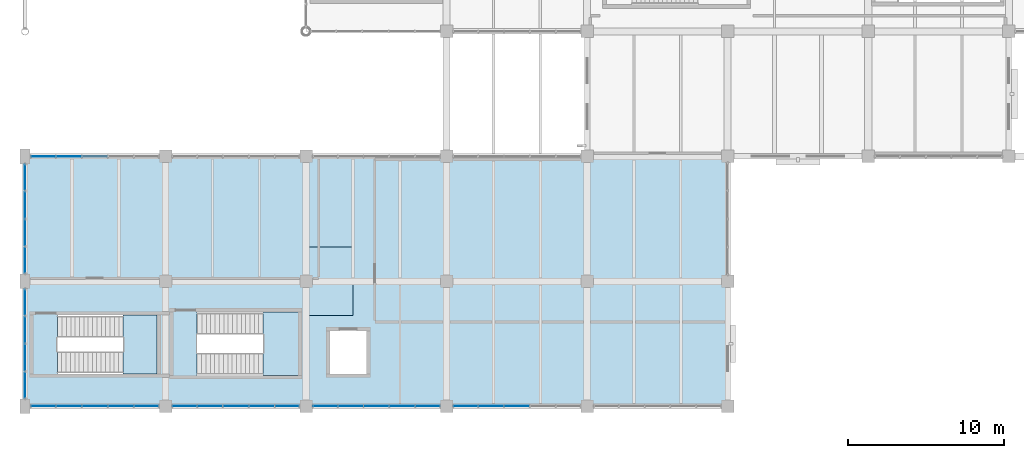
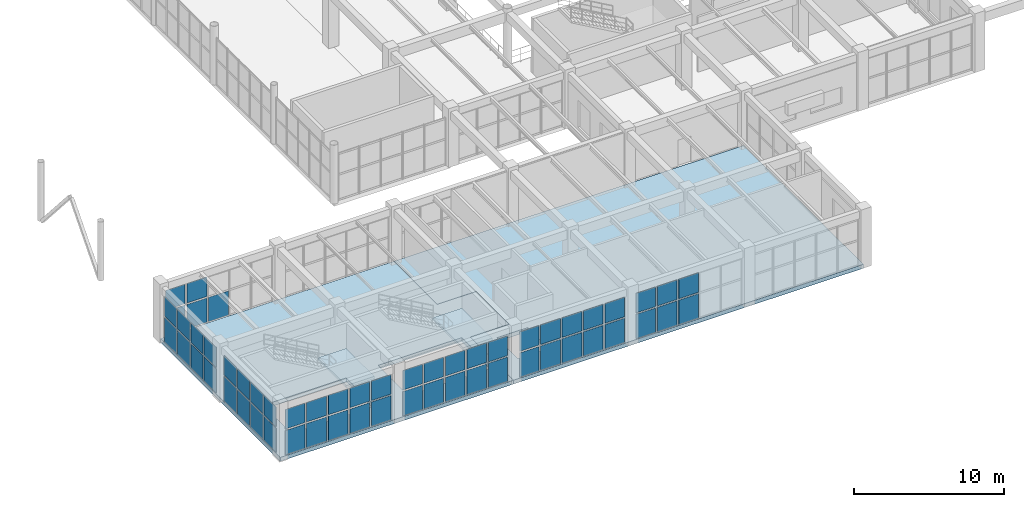
# One storey, part 138 of 178: 57 plates, 4 slabs, 9 elements without a shape of their own.
"""IFC4 building model written with IfcOpenShell, lengths in metres."""

from ifc_helpers import new_model, si_unit, derived_unit, direction, frame, origin, origin_2d, place, context, subcontext, project, spatial, polyline, rectangle, outline, extrude, material, layer, layer_set, type_object, element, aggregate, save


model = new_model("IFC4")

# Units and contexts
model_context = context("Model", 3, precision=1e-05, world=origin(), true_north=direction((0.0, 1.0)))
body_context = subcontext(model_context, "Body", "Model", "MODEL_VIEW")
ifc_project = project(units=[si_unit("LENGTHUNIT", "METRE"), si_unit("AREAUNIT", "SQUARE_METRE"), si_unit("VOLUMEUNIT", "CUBIC_METRE"), si_unit("PLANEANGLEUNIT", "RADIAN"), si_unit("MASSUNIT", "GRAM", prefix="KILO"), derived_unit("THERMALTRANSMITTANCEUNIT", [(si_unit("MASSUNIT", "GRAM", prefix="KILO"), 1), (si_unit("TIMEUNIT", "SECOND"), -3), (si_unit("THERMODYNAMICTEMPERATUREUNIT", "KELVIN"), -1)])], contexts=[model_context])

# Site, building, storey
site_placement = place(None, origin())
site = spatial("IfcSite", under=ifc_project, at=site_placement, CompositionType="ELEMENT")
building_placement = place(site_placement, origin())
building = spatial("IfcBuilding", under=site, at=building_placement, Name="Zhenchuan Archway Interchange", CompositionType="ELEMENT")
storey_placement = place(building_placement, frame((0.0, 0.0, 5.39990234375)))
storey = spatial("IfcBuildingStorey", under=building, at=storey_placement, Name="L01", CompositionType="ELEMENT", Elevation=5.39990234375)

# Curtain wall, plates
ifc_material_1 = material(Name="Anodised Aluminium", Category="aluminium")
curtain_wall_type_1 = type_object("IfcCurtainWallType", Name="CW_UNIT_4", PredefinedType="NOTDEFINED", material=ifc_material_1)
curtain_wall_1_placement = place(storey_placement, origin())
curtain_wall_1 = element("IfcCurtainWall", 1, at=curtain_wall_1_placement, inside=storey, type_object=curtain_wall_type_1, Name="Unitised curtain wall CW:L01:083", PredefinedType="NOTDEFINED")
ifc_material_2 = material(Name="Double Low-E Insulated Glazing", Category="glass")
ifc_layer_1 = layer(ifc_material_2, 0.028076171875)
ifc_layer_set_1 = layer_set([ifc_layer_1], Name="Double Low-E Insulated Glazing")
plate_type_1 = type_object("IfcPlateType", Name="CW_GLZ_1", PredefinedType="CURTAIN_PANEL", material=ifc_layer_set_1)
plate_1_placement = place(storey_placement, frame((31.5, 0.0, 0.080078125), z_axis=(0.0, 0.0, 1.0), x_axis=(-1.0, 0.0, 0.0)))
plate_1 = element("IfcPlate", 2, at=plate_1_placement, type_object=plate_type_1, Name="CW:L01:083 lower glazing panel 2", PredefinedType="CURTAIN_PANEL", context=body_context, shape_type="SweptSolid", body=[
    extrude(rectangle(XDim=1.5126953125, YDim=0.028076171875, at=origin_2d()), origin(), (0.0, 0.0, 1.0), 1.98291015625),
])
plate_2_placement = place(storey_placement, frame((29.84716796875, 0.0, 0.080078125), z_axis=(0.0, 0.0, 1.0), x_axis=(-1.0, 0.0, 0.0)))
plate_2 = element("IfcPlate", 3, at=plate_2_placement, type_object=plate_type_1, Name="CW:L01:083 lower glazing panel 3", PredefinedType="CURTAIN_PANEL", context=body_context, shape_type="SweptSolid", body=[
    extrude(rectangle(XDim=1.5126953125, YDim=0.028076171875, at=origin_2d()), origin(), (0.0, 0.0, 1.0), 1.98291015625),
])
plate_3_placement = place(storey_placement, frame((28.204345703125, 0.0, 0.080078125), z_axis=(0.0, 0.0, 1.0), x_axis=(-1.0, 0.0, 0.0)))
plate_3 = element("IfcPlate", 4, at=plate_3_placement, type_object=plate_type_1, Name="CW:L01:083 lower glazing panel 4", PredefinedType="CURTAIN_PANEL", context=body_context, shape_type="SweptSolid", body=[
    extrude(rectangle(XDim=1.492919921875, YDim=0.028076171875, at=origin_2d()), origin(), (0.0, 0.0, 1.0), 1.98291015625),
])

curtain_wall_type_2 = type_object("IfcCurtainWallType", Name="CW_UNIT_1", PredefinedType="NOTDEFINED", material=ifc_material_1)
curtain_wall_2_placement = place(storey_placement, origin())
curtain_wall_2 = element("IfcCurtainWall", 5, at=curtain_wall_2_placement, inside=storey, type_object=curtain_wall_type_2, Name="Unitised curtain wall CW:L01:084", PredefinedType="NOTDEFINED")
plate_4_placement = place(storey_placement, frame((25.795654296875, 0.0, 0.080078125), z_axis=(0.0, 0.0, 1.0), x_axis=(-1.0, 0.0, 0.0)))
plate_4 = element("IfcPlate", 6, at=plate_4_placement, type_object=plate_type_1, Name="CW:L01:084 lower glazing panel 0", PredefinedType="CURTAIN_PANEL", context=body_context, shape_type="SweptSolid", body=[
    extrude(rectangle(XDim=1.492919921875, YDim=0.028076171875, at=origin_2d()), origin(), (0.0, 0.0, 1.0), 1.98291015625),
])
plate_5_placement = place(storey_placement, frame((24.15283203125, 0.0, 0.080078125), z_axis=(0.0, 0.0, 1.0), x_axis=(-1.0, 0.0, 0.0)))
plate_5 = element("IfcPlate", 7, at=plate_5_placement, type_object=plate_type_1, Name="CW:L01:084 lower glazing panel 1", PredefinedType="CURTAIN_PANEL", context=body_context, shape_type="SweptSolid", body=[
    extrude(rectangle(XDim=1.5126953125, YDim=0.028076171875, at=origin_2d()), origin(), (0.0, 0.0, 1.0), 1.98291015625),
])
plate_6_placement = place(storey_placement, frame((22.5, 0.0, 0.080078125), z_axis=(0.0, 0.0, 1.0), x_axis=(-1.0, 0.0, 0.0)))
plate_6 = element("IfcPlate", 8, at=plate_6_placement, type_object=plate_type_1, Name="CW:L01:084 lower glazing panel 2", PredefinedType="CURTAIN_PANEL", context=body_context, shape_type="SweptSolid", body=[
    extrude(rectangle(XDim=1.5126953125, YDim=0.028076171875, at=origin_2d()), origin(), (0.0, 0.0, 1.0), 1.98291015625),
])
plate_7_placement = place(storey_placement, frame((20.84716796875, 0.0, 0.080078125), z_axis=(0.0, 0.0, 1.0), x_axis=(-1.0, 0.0, 0.0)))
plate_7 = element("IfcPlate", 9, at=plate_7_placement, type_object=plate_type_1, Name="CW:L01:084 lower glazing panel 3", PredefinedType="CURTAIN_PANEL", context=body_context, shape_type="SweptSolid", body=[
    extrude(rectangle(XDim=1.5126953125, YDim=0.028076171875, at=origin_2d()), origin(), (0.0, 0.0, 1.0), 1.98291015625),
])
plate_8_placement = place(storey_placement, frame((19.204345703125, 0.0, 0.080078125), z_axis=(0.0, 0.0, 1.0), x_axis=(-1.0, 0.0, 0.0)))
plate_8 = element("IfcPlate", 10, at=plate_8_placement, type_object=plate_type_1, Name="CW:L01:084 lower glazing panel 4", PredefinedType="CURTAIN_PANEL", context=body_context, shape_type="SweptSolid", body=[
    extrude(rectangle(XDim=1.492919921875, YDim=0.028076171875, at=origin_2d()), origin(), (0.0, 0.0, 1.0), 1.98291015625),
])

curtain_wall_type_3 = type_object("IfcCurtainWallType", Name="CW_UNIT_2", PredefinedType="NOTDEFINED", material=ifc_material_1)
curtain_wall_3_placement = place(storey_placement, origin())
curtain_wall_3 = element("IfcCurtainWall", 11, at=curtain_wall_3_placement, inside=storey, type_object=curtain_wall_type_3, Name="Unitised curtain wall CW:L01:085", PredefinedType="NOTDEFINED")
plate_9_placement = place(storey_placement, frame((16.795654296875, 0.0, 0.080078125), z_axis=(0.0, 0.0, 1.0), x_axis=(-1.0, 0.0, 0.0)))
plate_9 = element("IfcPlate", 12, at=plate_9_placement, type_object=plate_type_1, Name="CW:L01:085 lower glazing panel 0", PredefinedType="CURTAIN_PANEL", context=body_context, shape_type="SweptSolid", body=[
    extrude(rectangle(XDim=1.492919921875, YDim=0.028076171875, at=origin_2d()), origin(), (0.0, 0.0, 1.0), 1.98291015625),
])
plate_10_placement = place(storey_placement, frame((15.15283203125, 0.0, 0.080078125), z_axis=(0.0, 0.0, 1.0), x_axis=(-1.0, 0.0, 0.0)))
plate_10 = element("IfcPlate", 13, at=plate_10_placement, type_object=plate_type_1, Name="CW:L01:085 lower glazing panel 1", PredefinedType="CURTAIN_PANEL", context=body_context, shape_type="SweptSolid", body=[
    extrude(rectangle(XDim=1.5126953125, YDim=0.028076171875, at=origin_2d()), origin(), (0.0, 0.0, 1.0), 1.98291015625),
])
plate_11_placement = place(storey_placement, frame((13.5, 0.0, 0.080078125), z_axis=(0.0, 0.0, 1.0), x_axis=(-1.0, 0.0, 0.0)))
plate_11 = element("IfcPlate", 14, at=plate_11_placement, type_object=plate_type_1, Name="CW:L01:085 lower glazing panel 2", PredefinedType="CURTAIN_PANEL", context=body_context, shape_type="SweptSolid", body=[
    extrude(rectangle(XDim=1.5126953125, YDim=0.028076171875, at=origin_2d()), origin(), (0.0, 0.0, 1.0), 1.98291015625),
])
plate_12_placement = place(storey_placement, frame((11.84716796875, 0.0, 0.080078125), z_axis=(0.0, 0.0, 1.0), x_axis=(-1.0, 0.0, 0.0)))
plate_12 = element("IfcPlate", 15, at=plate_12_placement, type_object=plate_type_1, Name="CW:L01:085 lower glazing panel 3", PredefinedType="CURTAIN_PANEL", context=body_context, shape_type="SweptSolid", body=[
    extrude(rectangle(XDim=1.5126953125, YDim=0.028076171875, at=origin_2d()), origin(), (0.0, 0.0, 1.0), 1.98291015625),
])
plate_13_placement = place(storey_placement, frame((10.204345703125, 0.0, 0.080078125), z_axis=(0.0, 0.0, 1.0), x_axis=(-1.0, 0.0, 0.0)))
plate_13 = element("IfcPlate", 16, at=plate_13_placement, type_object=plate_type_1, Name="CW:L01:085 lower glazing panel 4", PredefinedType="CURTAIN_PANEL", context=body_context, shape_type="SweptSolid", body=[
    extrude(rectangle(XDim=1.492919921875, YDim=0.028076171875, at=origin_2d()), origin(), (0.0, 0.0, 1.0), 1.98291015625),
])

curtain_wall_type_4 = type_object("IfcCurtainWallType", Name="CW_UNIT_3", PredefinedType="NOTDEFINED", material=ifc_material_1)
curtain_wall_4_placement = place(storey_placement, origin())
curtain_wall_4 = element("IfcCurtainWall", 17, at=curtain_wall_4_placement, inside=storey, type_object=curtain_wall_type_4, Name="Unitised curtain wall CW:L01:086", PredefinedType="NOTDEFINED")
plate_14_placement = place(storey_placement, frame((7.7880859375, 0.0, 0.080078125), z_axis=(0.0, 0.0, 1.0), x_axis=(-1.0, 0.0, 0.0)))
plate_14 = element("IfcPlate", 18, at=plate_14_placement, type_object=plate_type_1, Name="CW:L01:086 lower glazing panel 0", PredefinedType="CURTAIN_PANEL", context=body_context, shape_type="SweptSolid", body=[
    extrude(rectangle(XDim=1.5078125, YDim=0.028076171875, at=origin_2d()), origin(), (0.0, 0.0, 1.0), 1.98291015625),
])
plate_15_placement = place(storey_placement, frame((6.13037109375, 0.0, 0.080078125), z_axis=(0.0, 0.0, 1.0), x_axis=(-1.0, 0.0, 0.0)))
plate_15 = element("IfcPlate", 19, at=plate_15_placement, type_object=plate_type_1, Name="CW:L01:086 lower glazing panel 1", PredefinedType="CURTAIN_PANEL", context=body_context, shape_type="SweptSolid", body=[
    extrude(rectangle(XDim=1.52783203125, YDim=0.028076171875, at=origin_2d()), origin(), (0.0, 0.0, 1.0), 1.98291015625),
])
plate_16_placement = place(storey_placement, frame((4.46240234375, 0.0, 0.080078125), z_axis=(0.0, 0.0, 1.0), x_axis=(-1.0, 0.0, 0.0)))
plate_16 = element("IfcPlate", 20, at=plate_16_placement, type_object=plate_type_1, Name="CW:L01:086 lower glazing panel 2", PredefinedType="CURTAIN_PANEL", context=body_context, shape_type="SweptSolid", body=[
    extrude(rectangle(XDim=1.52783203125, YDim=0.028076171875, at=origin_2d()), origin(), (0.0, 0.0, 1.0), 1.98291015625),
])
plate_17_placement = place(storey_placement, frame((2.794677734375, 0.0, 0.080078125), z_axis=(0.0, 0.0, 1.0), x_axis=(-1.0, 0.0, 0.0)))
plate_17 = element("IfcPlate", 21, at=plate_17_placement, type_object=plate_type_1, Name="CW:L01:086 lower glazing panel 3", PredefinedType="CURTAIN_PANEL", context=body_context, shape_type="SweptSolid", body=[
    extrude(rectangle(XDim=1.52783203125, YDim=0.028076171875, at=origin_2d()), origin(), (0.0, 0.0, 1.0), 1.98291015625),
])
plate_18_placement = place(storey_placement, frame((1.136962890625, 0.0, 0.080078125), z_axis=(0.0, 0.0, 1.0), x_axis=(-1.0, 0.0, 0.0)))
plate_18 = element("IfcPlate", 22, at=plate_18_placement, type_object=plate_type_1, Name="CW:L01:086 lower glazing panel 4", PredefinedType="CURTAIN_PANEL", context=body_context, shape_type="SweptSolid", body=[
    extrude(rectangle(XDim=1.5078125, YDim=0.028076171875, at=origin_2d()), origin(), (0.0, 0.0, 1.0), 1.98291015625),
])

curtain_wall_5_placement = place(storey_placement, origin())
curtain_wall_5 = element("IfcCurtainWall", 23, at=curtain_wall_5_placement, inside=storey, type_object=curtain_wall_type_3, Name="Unitised curtain wall CW:L01:089", PredefinedType="NOTDEFINED")
plate_19_placement = place(storey_placement, frame((1.136962890625, 16.0, 0.080078125), z_axis=(0.0, 0.0, 1.0), x_axis=(1.0, 0.0, 0.0)))
plate_19 = element("IfcPlate", 24, at=plate_19_placement, type_object=plate_type_1, Name="CW:L01:089 lower glazing panel 0", PredefinedType="CURTAIN_PANEL", context=body_context, shape_type="SweptSolid", body=[
    extrude(rectangle(XDim=1.5078125, YDim=0.028076171875, at=origin_2d()), origin(), (0.0, 0.0, 1.0), 1.98291015625),
])
plate_20_placement = place(storey_placement, frame((2.794677734375, 16.0, 0.080078125), z_axis=(0.0, 0.0, 1.0), x_axis=(1.0, 0.0, 0.0)))
plate_20 = element("IfcPlate", 25, at=plate_20_placement, type_object=plate_type_1, Name="CW:L01:089 lower glazing panel 1", PredefinedType="CURTAIN_PANEL", context=body_context, shape_type="SweptSolid", body=[
    extrude(rectangle(XDim=1.52783203125, YDim=0.028076171875, at=origin_2d()), origin(), (0.0, 0.0, 1.0), 1.98291015625),
])
plate_21_placement = place(storey_placement, frame((4.46240234375, 16.0, 0.080078125), z_axis=(0.0, 0.0, 1.0), x_axis=(1.0, 0.0, 0.0)))
plate_21 = element("IfcPlate", 26, at=plate_21_placement, type_object=plate_type_1, Name="CW:L01:089 lower glazing panel 2", PredefinedType="CURTAIN_PANEL", context=body_context, shape_type="SweptSolid", body=[
    extrude(rectangle(XDim=1.52783203125, YDim=0.028076171875, at=origin_2d()), origin(), (0.0, 0.0, 1.0), 1.98291015625),
])

# Plate
ifc_layer_2 = layer(ifc_material_2, 0.02587890625)
ifc_layer_set_2 = layer_set([ifc_layer_2], Name="Double Low-E Insulated Glazing")
plate_type_2 = type_object("IfcPlateType", Name="CW_GLZ_2", PredefinedType="CURTAIN_PANEL", material=ifc_layer_set_2)
plate_22_placement = place(storey_placement, frame((31.5, 0.0, 2.18310546875), z_axis=(0.0, 0.0, 1.0), x_axis=(-1.0, 0.0, 0.0)))
plate_22 = element("IfcPlate", 27, at=plate_22_placement, type_object=plate_type_2, Name="CW:L01:083 upper glazing panel 2", PredefinedType="CURTAIN_PANEL", context=body_context, shape_type="SweptSolid", body=[
    extrude(rectangle(XDim=1.5126953125, YDim=0.02587890625, at=origin_2d()), origin(), (0.0, 0.0, 1.0), 1.596923828125),
])

plate_23_placement = place(storey_placement, frame((29.84716796875, 0.0, 2.18310546875), z_axis=(0.0, 0.0, 1.0), x_axis=(-1.0, 0.0, 0.0)))
plate_23 = element("IfcPlate", 28, at=plate_23_placement, type_object=plate_type_2, Name="CW:L01:083 upper glazing panel 3", PredefinedType="CURTAIN_PANEL", context=body_context, shape_type="SweptSolid", body=[
    extrude(rectangle(XDim=1.5126953125, YDim=0.02587890625, at=origin_2d()), origin(), (0.0, 0.0, 1.0), 1.596923828125),
])

plate_24_placement = place(storey_placement, frame((28.204345703125, 0.0, 2.18310546875), z_axis=(0.0, 0.0, 1.0), x_axis=(-1.0, 0.0, 0.0)))
plate_24 = element("IfcPlate", 29, at=plate_24_placement, type_object=plate_type_2, Name="CW:L01:083 upper glazing panel 4", PredefinedType="CURTAIN_PANEL", context=body_context, shape_type="SweptSolid", body=[
    extrude(rectangle(XDim=1.492919921875, YDim=0.02587890625, at=origin_2d()), origin(), (0.0, 0.0, 1.0), 1.596923828125),
])

aggregate(curtain_wall_1, [plate_1, plate_22, plate_2, plate_23, plate_3, plate_24])

plate_25_placement = place(storey_placement, frame((25.795654296875, 0.0, 2.18310546875), z_axis=(0.0, 0.0, 1.0), x_axis=(-1.0, 0.0, 0.0)))
plate_25 = element("IfcPlate", 30, at=plate_25_placement, type_object=plate_type_2, Name="CW:L01:084 upper glazing panel 0", PredefinedType="CURTAIN_PANEL", context=body_context, shape_type="SweptSolid", body=[
    extrude(rectangle(XDim=1.492919921875, YDim=0.02587890625, at=origin_2d()), origin(), (0.0, 0.0, 1.0), 1.596923828125),
])

plate_26_placement = place(storey_placement, frame((24.15283203125, 0.0, 2.18310546875), z_axis=(0.0, 0.0, 1.0), x_axis=(-1.0, 0.0, 0.0)))
plate_26 = element("IfcPlate", 31, at=plate_26_placement, type_object=plate_type_2, Name="CW:L01:084 upper glazing panel 1", PredefinedType="CURTAIN_PANEL", context=body_context, shape_type="SweptSolid", body=[
    extrude(rectangle(XDim=1.5126953125, YDim=0.02587890625, at=origin_2d()), origin(), (0.0, 0.0, 1.0), 1.596923828125),
])

plate_27_placement = place(storey_placement, frame((22.5, 0.0, 2.18310546875), z_axis=(0.0, 0.0, 1.0), x_axis=(-1.0, 0.0, 0.0)))
plate_27 = element("IfcPlate", 32, at=plate_27_placement, type_object=plate_type_2, Name="CW:L01:084 upper glazing panel 2", PredefinedType="CURTAIN_PANEL", context=body_context, shape_type="SweptSolid", body=[
    extrude(rectangle(XDim=1.5126953125, YDim=0.02587890625, at=origin_2d()), origin(), (0.0, 0.0, 1.0), 1.596923828125),
])

plate_28_placement = place(storey_placement, frame((20.84716796875, 0.0, 2.18310546875), z_axis=(0.0, 0.0, 1.0), x_axis=(-1.0, 0.0, 0.0)))
plate_28 = element("IfcPlate", 33, at=plate_28_placement, type_object=plate_type_2, Name="CW:L01:084 upper glazing panel 3", PredefinedType="CURTAIN_PANEL", context=body_context, shape_type="SweptSolid", body=[
    extrude(rectangle(XDim=1.5126953125, YDim=0.02587890625, at=origin_2d()), origin(), (0.0, 0.0, 1.0), 1.596923828125),
])

plate_29_placement = place(storey_placement, frame((19.204345703125, 0.0, 2.18310546875), z_axis=(0.0, 0.0, 1.0), x_axis=(-1.0, 0.0, 0.0)))
plate_29 = element("IfcPlate", 34, at=plate_29_placement, type_object=plate_type_2, Name="CW:L01:084 upper glazing panel 4", PredefinedType="CURTAIN_PANEL", context=body_context, shape_type="SweptSolid", body=[
    extrude(rectangle(XDim=1.492919921875, YDim=0.02587890625, at=origin_2d()), origin(), (0.0, 0.0, 1.0), 1.596923828125),
])

aggregate(curtain_wall_2, [plate_4, plate_25, plate_5, plate_26, plate_6, plate_27, plate_7, plate_28, plate_8, plate_29])

plate_30_placement = place(storey_placement, frame((16.795654296875, 0.0, 2.18310546875), z_axis=(0.0, 0.0, 1.0), x_axis=(-1.0, 0.0, 0.0)))
plate_30 = element("IfcPlate", 35, at=plate_30_placement, type_object=plate_type_2, Name="CW:L01:085 upper glazing panel 0", PredefinedType="CURTAIN_PANEL", context=body_context, shape_type="SweptSolid", body=[
    extrude(rectangle(XDim=1.492919921875, YDim=0.02587890625, at=origin_2d()), origin(), (0.0, 0.0, 1.0), 1.596923828125),
])

plate_31_placement = place(storey_placement, frame((15.15283203125, 0.0, 2.18310546875), z_axis=(0.0, 0.0, 1.0), x_axis=(-1.0, 0.0, 0.0)))
plate_31 = element("IfcPlate", 36, at=plate_31_placement, type_object=plate_type_2, Name="CW:L01:085 upper glazing panel 1", PredefinedType="CURTAIN_PANEL", context=body_context, shape_type="SweptSolid", body=[
    extrude(rectangle(XDim=1.5126953125, YDim=0.02587890625, at=origin_2d()), origin(), (0.0, 0.0, 1.0), 1.596923828125),
])

plate_32_placement = place(storey_placement, frame((13.5, 0.0, 2.18310546875), z_axis=(0.0, 0.0, 1.0), x_axis=(-1.0, 0.0, 0.0)))
plate_32 = element("IfcPlate", 37, at=plate_32_placement, type_object=plate_type_2, Name="CW:L01:085 upper glazing panel 2", PredefinedType="CURTAIN_PANEL", context=body_context, shape_type="SweptSolid", body=[
    extrude(rectangle(XDim=1.5126953125, YDim=0.02587890625, at=origin_2d()), origin(), (0.0, 0.0, 1.0), 1.596923828125),
])

plate_33_placement = place(storey_placement, frame((11.84716796875, 0.0, 2.18310546875), z_axis=(0.0, 0.0, 1.0), x_axis=(-1.0, 0.0, 0.0)))
plate_33 = element("IfcPlate", 38, at=plate_33_placement, type_object=plate_type_2, Name="CW:L01:085 upper glazing panel 3", PredefinedType="CURTAIN_PANEL", context=body_context, shape_type="SweptSolid", body=[
    extrude(rectangle(XDim=1.5126953125, YDim=0.02587890625, at=origin_2d()), origin(), (0.0, 0.0, 1.0), 1.596923828125),
])

plate_34_placement = place(storey_placement, frame((10.204345703125, 0.0, 2.18310546875), z_axis=(0.0, 0.0, 1.0), x_axis=(-1.0, 0.0, 0.0)))
plate_34 = element("IfcPlate", 39, at=plate_34_placement, type_object=plate_type_2, Name="CW:L01:085 upper glazing panel 4", PredefinedType="CURTAIN_PANEL", context=body_context, shape_type="SweptSolid", body=[
    extrude(rectangle(XDim=1.492919921875, YDim=0.02587890625, at=origin_2d()), origin(), (0.0, 0.0, 1.0), 1.596923828125),
])

aggregate(curtain_wall_3, [plate_9, plate_30, plate_10, plate_31, plate_11, plate_32, plate_12, plate_33, plate_13, plate_34])

plate_35_placement = place(storey_placement, frame((7.7880859375, 0.0, 2.18310546875), z_axis=(0.0, 0.0, 1.0), x_axis=(-1.0, 0.0, 0.0)))
plate_35 = element("IfcPlate", 40, at=plate_35_placement, type_object=plate_type_2, Name="CW:L01:086 upper glazing panel 0", PredefinedType="CURTAIN_PANEL", context=body_context, shape_type="SweptSolid", body=[
    extrude(rectangle(XDim=1.5078125, YDim=0.02587890625, at=origin_2d()), origin(), (0.0, 0.0, 1.0), 1.596923828125),
])

plate_36_placement = place(storey_placement, frame((6.13037109375, 0.0, 2.18310546875), z_axis=(0.0, 0.0, 1.0), x_axis=(-1.0, 0.0, 0.0)))
plate_36 = element("IfcPlate", 41, at=plate_36_placement, type_object=plate_type_2, Name="CW:L01:086 upper glazing panel 1", PredefinedType="CURTAIN_PANEL", context=body_context, shape_type="SweptSolid", body=[
    extrude(rectangle(XDim=1.52783203125, YDim=0.02587890625, at=origin_2d()), origin(), (0.0, 0.0, 1.0), 1.596923828125),
])

plate_37_placement = place(storey_placement, frame((4.46240234375, 0.0, 2.18310546875), z_axis=(0.0, 0.0, 1.0), x_axis=(-1.0, 0.0, 0.0)))
plate_37 = element("IfcPlate", 42, at=plate_37_placement, type_object=plate_type_2, Name="CW:L01:086 upper glazing panel 2", PredefinedType="CURTAIN_PANEL", context=body_context, shape_type="SweptSolid", body=[
    extrude(rectangle(XDim=1.52783203125, YDim=0.02587890625, at=origin_2d()), origin(), (0.0, 0.0, 1.0), 1.596923828125),
])

plate_38_placement = place(storey_placement, frame((2.794677734375, 0.0, 2.18310546875), z_axis=(0.0, 0.0, 1.0), x_axis=(-1.0, 0.0, 0.0)))
plate_38 = element("IfcPlate", 43, at=plate_38_placement, type_object=plate_type_2, Name="CW:L01:086 upper glazing panel 3", PredefinedType="CURTAIN_PANEL", context=body_context, shape_type="SweptSolid", body=[
    extrude(rectangle(XDim=1.52783203125, YDim=0.02587890625, at=origin_2d()), origin(), (0.0, 0.0, 1.0), 1.596923828125),
])

plate_39_placement = place(storey_placement, frame((1.136962890625, 0.0, 2.18310546875), z_axis=(0.0, 0.0, 1.0), x_axis=(-1.0, 0.0, 0.0)))
plate_39 = element("IfcPlate", 44, at=plate_39_placement, type_object=plate_type_2, Name="CW:L01:086 upper glazing panel 4", PredefinedType="CURTAIN_PANEL", context=body_context, shape_type="SweptSolid", body=[
    extrude(rectangle(XDim=1.5078125, YDim=0.02587890625, at=origin_2d()), origin(), (0.0, 0.0, 1.0), 1.596923828125),
])

aggregate(curtain_wall_4, [plate_14, plate_35, plate_15, plate_36, plate_16, plate_37, plate_17, plate_38, plate_18, plate_39])

plate_40_placement = place(storey_placement, frame((1.136962890625, 16.0, 2.18310546875), z_axis=(0.0, 0.0, 1.0), x_axis=(1.0, 0.0, 0.0)))
plate_40 = element("IfcPlate", 45, at=plate_40_placement, type_object=plate_type_2, Name="CW:L01:089 upper glazing panel 0", PredefinedType="CURTAIN_PANEL", context=body_context, shape_type="SweptSolid", body=[
    extrude(rectangle(XDim=1.5078125, YDim=0.02587890625, at=origin_2d()), origin(), (0.0, 0.0, 1.0), 1.596923828125),
])

plate_41_placement = place(storey_placement, frame((2.794677734375, 16.0, 2.18310546875), z_axis=(0.0, 0.0, 1.0), x_axis=(1.0, 0.0, 0.0)))
plate_41 = element("IfcPlate", 46, at=plate_41_placement, type_object=plate_type_2, Name="CW:L01:089 upper glazing panel 1", PredefinedType="CURTAIN_PANEL", context=body_context, shape_type="SweptSolid", body=[
    extrude(rectangle(XDim=1.52783203125, YDim=0.02587890625, at=origin_2d()), origin(), (0.0, 0.0, 1.0), 1.596923828125),
])

aggregate(curtain_wall_5, [plate_19, plate_40, plate_20, plate_41, plate_21])

# Curtain wall, plates
curtain_wall_6_placement = place(storey_placement, origin())
curtain_wall_6 = element("IfcCurtainWall", 47, at=curtain_wall_6_placement, inside=storey, type_object=curtain_wall_type_1, Name="Unitised curtain wall CW:L01:087", PredefinedType="NOTDEFINED")
ifc_layer_3 = layer(ifc_material_2, 0.030029296875)
ifc_layer_set_3 = layer_set([ifc_layer_3], Name="Double Low-E Insulated Glazing")
plate_type_3 = type_object("IfcPlateType", Name="CW_GLZ_3", PredefinedType="CURTAIN_PANEL", material=ifc_layer_set_3)
plate_42_placement = place(storey_placement, frame((0.0, 1.34228515625, 0.080078125), z_axis=(0.0, 0.0, 1.0), x_axis=(0.0, 1.0, 0.0)))
plate_42 = element("IfcPlate", 48, at=plate_42_placement, type_object=plate_type_3, Name="CW:L01:087 lower glazing panel 0", PredefinedType="CURTAIN_PANEL", context=body_context, shape_type="SweptSolid", body=[
    extrude(rectangle(XDim=1.618408203125, YDim=0.028076171875, at=origin_2d()), origin(), (0.0, 0.0, 1.0), 1.98291015625),
])
plate_43_placement = place(storey_placement, frame((0.0, 3.11083984375, 0.080078125), z_axis=(0.0, 0.0, 1.0), x_axis=(0.0, 1.0, 0.0)))
plate_43 = element("IfcPlate", 49, at=plate_43_placement, type_object=plate_type_3, Name="CW:L01:087 lower glazing panel 1", PredefinedType="CURTAIN_PANEL", context=body_context, shape_type="SweptSolid", body=[
    extrude(rectangle(XDim=1.638427734375, YDim=0.028076171875, at=origin_2d()), origin(), (0.0, 0.0, 1.0), 1.98291015625),
])
plate_44_placement = place(storey_placement, frame((0.0, 4.889404296875, 0.080078125), z_axis=(0.0, 0.0, 1.0), x_axis=(0.0, 1.0, 0.0)))
plate_44 = element("IfcPlate", 50, at=plate_44_placement, type_object=plate_type_3, Name="CW:L01:087 lower glazing panel 2", PredefinedType="CURTAIN_PANEL", context=body_context, shape_type="SweptSolid", body=[
    extrude(rectangle(XDim=1.638427734375, YDim=0.028076171875, at=origin_2d()), origin(), (0.0, 0.0, 1.0), 1.98291015625),
])
plate_45_placement = place(storey_placement, frame((0.0, 6.65771484375, 0.080078125), z_axis=(0.0, 0.0, 1.0), x_axis=(0.0, 1.0, 0.0)))
plate_45 = element("IfcPlate", 51, at=plate_45_placement, type_object=plate_type_3, Name="CW:L01:087 lower glazing panel 3", PredefinedType="CURTAIN_PANEL", context=body_context, shape_type="SweptSolid", body=[
    extrude(rectangle(XDim=1.618408203125, YDim=0.028076171875, at=origin_2d()), origin(), (0.0, 0.0, 1.0), 1.98291015625),
])

curtain_wall_7_placement = place(storey_placement, origin())
curtain_wall_7 = element("IfcCurtainWall", 52, at=curtain_wall_7_placement, inside=storey, type_object=curtain_wall_type_2, Name="Unitised curtain wall CW:L01:088", PredefinedType="NOTDEFINED")
plate_46_placement = place(storey_placement, frame((0.0, 9.34228515625, 0.080078125), z_axis=(0.0, 0.0, 1.0), x_axis=(0.0, 1.0, 0.0)))
plate_46 = element("IfcPlate", 53, at=plate_46_placement, type_object=plate_type_3, Name="CW:L01:088 lower glazing panel 0", PredefinedType="CURTAIN_PANEL", context=body_context, shape_type="SweptSolid", body=[
    extrude(rectangle(XDim=1.618408203125, YDim=0.028076171875, at=origin_2d()), origin(), (0.0, 0.0, 1.0), 1.98291015625),
])
plate_47_placement = place(storey_placement, frame((0.0, 11.110595703125, 0.080078125), z_axis=(0.0, 0.0, 1.0), x_axis=(0.0, 1.0, 0.0)))
plate_47 = element("IfcPlate", 54, at=plate_47_placement, type_object=plate_type_3, Name="CW:L01:088 lower glazing panel 1", PredefinedType="CURTAIN_PANEL", context=body_context, shape_type="SweptSolid", body=[
    extrude(rectangle(XDim=1.638427734375, YDim=0.028076171875, at=origin_2d()), origin(), (0.0, 0.0, 1.0), 1.98291015625),
])
plate_48_placement = place(storey_placement, frame((0.0, 12.889404296875, 0.080078125), z_axis=(0.0, 0.0, 1.0), x_axis=(0.0, 1.0, 0.0)))
plate_48 = element("IfcPlate", 55, at=plate_48_placement, type_object=plate_type_3, Name="CW:L01:088 lower glazing panel 2", PredefinedType="CURTAIN_PANEL", context=body_context, shape_type="SweptSolid", body=[
    extrude(rectangle(XDim=1.638427734375, YDim=0.028076171875, at=origin_2d()), origin(), (0.0, 0.0, 1.0), 1.98291015625),
])
plate_49_placement = place(storey_placement, frame((0.0, 14.65771484375, 0.080078125), z_axis=(0.0, 0.0, 1.0), x_axis=(0.0, 1.0, 0.0)))
plate_49 = element("IfcPlate", 56, at=plate_49_placement, type_object=plate_type_3, Name="CW:L01:088 lower glazing panel 3", PredefinedType="CURTAIN_PANEL", context=body_context, shape_type="SweptSolid", body=[
    extrude(rectangle(XDim=1.618408203125, YDim=0.028076171875, at=origin_2d()), origin(), (0.0, 0.0, 1.0), 1.98291015625),
])

# Plate
ifc_layer_4 = layer(ifc_material_2, 0.02392578125)
ifc_layer_set_4 = layer_set([ifc_layer_4], Name="Double Low-E Insulated Glazing")
plate_type_4 = type_object("IfcPlateType", Name="CW_GLZ_4", PredefinedType="CURTAIN_PANEL", material=ifc_layer_set_4)
plate_50_placement = place(storey_placement, frame((0.0, 1.34228515625, 2.18310546875), z_axis=(0.0, 0.0, 1.0), x_axis=(0.0, 1.0, 0.0)))
plate_50 = element("IfcPlate", 57, at=plate_50_placement, type_object=plate_type_4, Name="CW:L01:087 upper glazing panel 0", PredefinedType="CURTAIN_PANEL", context=body_context, shape_type="SweptSolid", body=[
    extrude(rectangle(XDim=1.618408203125, YDim=0.02587890625, at=origin_2d()), origin(), (0.0, 0.0, 1.0), 1.596923828125),
])

plate_51_placement = place(storey_placement, frame((0.0, 3.11083984375, 2.18310546875), z_axis=(0.0, 0.0, 1.0), x_axis=(0.0, 1.0, 0.0)))
plate_51 = element("IfcPlate", 58, at=plate_51_placement, type_object=plate_type_4, Name="CW:L01:087 upper glazing panel 1", PredefinedType="CURTAIN_PANEL", context=body_context, shape_type="SweptSolid", body=[
    extrude(rectangle(XDim=1.638427734375, YDim=0.02587890625, at=origin_2d()), origin(), (0.0, 0.0, 1.0), 1.596923828125),
])

plate_52_placement = place(storey_placement, frame((0.0, 4.889404296875, 2.18310546875), z_axis=(0.0, 0.0, 1.0), x_axis=(0.0, 1.0, 0.0)))
plate_52 = element("IfcPlate", 59, at=plate_52_placement, type_object=plate_type_4, Name="CW:L01:087 upper glazing panel 2", PredefinedType="CURTAIN_PANEL", context=body_context, shape_type="SweptSolid", body=[
    extrude(rectangle(XDim=1.638427734375, YDim=0.02587890625, at=origin_2d()), origin(), (0.0, 0.0, 1.0), 1.596923828125),
])

plate_53_placement = place(storey_placement, frame((0.0, 6.65771484375, 2.18310546875), z_axis=(0.0, 0.0, 1.0), x_axis=(0.0, 1.0, 0.0)))
plate_53 = element("IfcPlate", 60, at=plate_53_placement, type_object=plate_type_4, Name="CW:L01:087 upper glazing panel 3", PredefinedType="CURTAIN_PANEL", context=body_context, shape_type="SweptSolid", body=[
    extrude(rectangle(XDim=1.618408203125, YDim=0.02587890625, at=origin_2d()), origin(), (0.0, 0.0, 1.0), 1.596923828125),
])

aggregate(curtain_wall_6, [plate_42, plate_50, plate_43, plate_51, plate_44, plate_52, plate_45, plate_53])

plate_54_placement = place(storey_placement, frame((0.0, 9.34228515625, 2.18310546875), z_axis=(0.0, 0.0, 1.0), x_axis=(0.0, 1.0, 0.0)))
plate_54 = element("IfcPlate", 61, at=plate_54_placement, type_object=plate_type_4, Name="CW:L01:088 upper glazing panel 0", PredefinedType="CURTAIN_PANEL", context=body_context, shape_type="SweptSolid", body=[
    extrude(rectangle(XDim=1.618408203125, YDim=0.02587890625, at=origin_2d()), origin(), (0.0, 0.0, 1.0), 1.596923828125),
])

plate_55_placement = place(storey_placement, frame((0.0, 11.110595703125, 2.18310546875), z_axis=(0.0, 0.0, 1.0), x_axis=(0.0, 1.0, 0.0)))
plate_55 = element("IfcPlate", 62, at=plate_55_placement, type_object=plate_type_4, Name="CW:L01:088 upper glazing panel 1", PredefinedType="CURTAIN_PANEL", context=body_context, shape_type="SweptSolid", body=[
    extrude(rectangle(XDim=1.638427734375, YDim=0.02587890625, at=origin_2d()), origin(), (0.0, 0.0, 1.0), 1.596923828125),
])

plate_56_placement = place(storey_placement, frame((0.0, 12.889404296875, 2.18310546875), z_axis=(0.0, 0.0, 1.0), x_axis=(0.0, 1.0, 0.0)))
plate_56 = element("IfcPlate", 63, at=plate_56_placement, type_object=plate_type_4, Name="CW:L01:088 upper glazing panel 2", PredefinedType="CURTAIN_PANEL", context=body_context, shape_type="SweptSolid", body=[
    extrude(rectangle(XDim=1.638427734375, YDim=0.02587890625, at=origin_2d()), origin(), (0.0, 0.0, 1.0), 1.596923828125),
])

plate_57_placement = place(storey_placement, frame((0.0, 14.65771484375, 2.18310546875), z_axis=(0.0, 0.0, 1.0), x_axis=(0.0, 1.0, 0.0)))
plate_57 = element("IfcPlate", 64, at=plate_57_placement, type_object=plate_type_4, Name="CW:L01:088 upper glazing panel 3", PredefinedType="CURTAIN_PANEL", context=body_context, shape_type="SweptSolid", body=[
    extrude(rectangle(XDim=1.618408203125, YDim=0.02587890625, at=origin_2d()), origin(), (0.0, 0.0, 1.0), 1.596923828125),
])

aggregate(curtain_wall_7, [plate_46, plate_54, plate_47, plate_55, plate_48, plate_56, plate_49, plate_57])

# Slabs
ifc_material_3 = material(Name="Concrete C40", Category="concrete")
ifc_layer_5 = layer(ifc_material_3, 0.320068359375)
ifc_layer_set_5 = layer_set([ifc_layer_5], Name="Concrete C40")
slab_type_1 = type_object("IfcSlabType", Name="SLB_FLR_320", PredefinedType="FLOOR", material=ifc_layer_set_5)
slab_1_placement = place(storey_placement, frame((0.0, 0.0, -0.31982421875)))
element("IfcSlab", 65, at=slab_1_placement, inside=storey, type_object=slab_type_1, Name="Structural slab L01 CYC-W", PredefinedType="FLOOR", context=body_context, shape_type="SweptSolid", body=[
    extrude(outline(polyline([(0.0, 16.0), (18.0, 16.0), (18.0, 10.197998046875), (20.998046875, 10.197998046875), (20.998046875, 5.802001953125), (18.0, 5.802001953125), (18.0, 0.0), (0.0, 0.0), (0.0, 16.0)]), holes=[polyline([(17.4951171875, 6.02490234375), (11.02490234375, 6.02490234375), (11.02490234375, 1.97509765625), (17.4951171875, 1.97509765625), (17.4951171875, 6.02490234375)]), polyline([(8.455078125, 2.074951171875), (8.455078125, 5.824951171875), (2.06494140625, 5.824951171875), (2.06494140625, 2.074951171875), (8.455078125, 2.074951171875)])]), origin(), (0.0, 0.0, 1.0), 0.31982421875),
])
slab_2_placement = place(storey_placement, frame((0.0, 0.0, -0.31982421875)))
element("IfcSlab", 66, at=slab_2_placement, inside=storey, type_object=slab_type_1, Name="Structural slab L01 CYC-E", PredefinedType="FLOOR", context=body_context, shape_type="SweptSolid", body=[
    extrude(outline(polyline([(45.0, 16.0), (45.0, 0.0), (18.0, 0.0), (18.0, 5.800048828125), (21.0, 5.800048828125), (21.0, 10.199951171875), (18.0, 10.199951171875), (18.0, 16.0), (45.0, 16.0)]), holes=[polyline([(21.8798828125, 2.070068359375), (21.8798828125, 4.830078125), (19.52001953125, 4.830078125), (19.52001953125, 2.070068359375), (21.8798828125, 2.070068359375)])]), origin(), (0.0, 0.0, 1.0), 0.31982421875),
])

# Stair, slab
ifc_material_4 = material(Name="Concrete C35", Category="concrete")
stair_type = type_object("IfcStairType", Name="STR_HALF_1400", PredefinedType="HALF_TURN_STAIR", material=ifc_material_4)
stair_1_placement = place(storey_placement, origin())
stair_1 = element("IfcStair", 67, at=stair_1_placement, inside=storey, type_object=stair_type, Name="Stair ST-C1 (L01)", PredefinedType="HALF_TURN_STAIR")
ifc_layer_6 = layer(ifc_material_4, 0.199951171875)
ifc_layer_set_6 = layer_set([ifc_layer_6], Name="Concrete C35")
slab_type_2 = type_object("IfcSlabType", Name="SLB_LANDING_200", PredefinedType="LANDING", material=ifc_layer_set_6)
slab_3_placement = place(storey_placement, frame((0.0, 0.0, 2.2001953125)))
slab_3 = element("IfcSlab", 68, at=slab_3_placement, type_object=slab_type_2, Name="Stair ST-C1 half-landing (L01)", PredefinedType="LANDING", context=body_context, shape_type="SweptSolid", body=[
    extrude(outline(polyline([(15.2451171875, 1.972900390625), (17.4970703125, 1.972900390625), (17.4970703125, 6.027099609375), (15.2451171875, 6.027099609375), (15.2451171875, 1.972900390625)])), origin(), (0.0, 0.0, 1.0), 0.199951171875),
])
aggregate(stair_1, [slab_3])

stair_2_placement = place(storey_placement, origin())
stair_2 = element("IfcStair", 69, at=stair_2_placement, inside=storey, type_object=stair_type, Name="Stair ST-C2 (L01)", PredefinedType="HALF_TURN_STAIR")
slab_4_placement = place(storey_placement, frame((0.0, 0.0, 2.2001953125)))
slab_4 = element("IfcSlab", 70, at=slab_4_placement, type_object=slab_type_2, Name="Stair ST-C2 half-landing (L01)", PredefinedType="LANDING", context=body_context, shape_type="SweptSolid", body=[
    extrude(outline(polyline([(6.284912109375, 2.072998046875), (8.45703125, 2.072998046875), (8.45703125, 5.826904296875), (6.284912109375, 5.826904296875), (6.284912109375, 2.072998046875)])), origin(), (0.0, 0.0, 1.0), 0.199951171875),
])
aggregate(stair_2, [slab_4])

save(model, "model.ifc")
